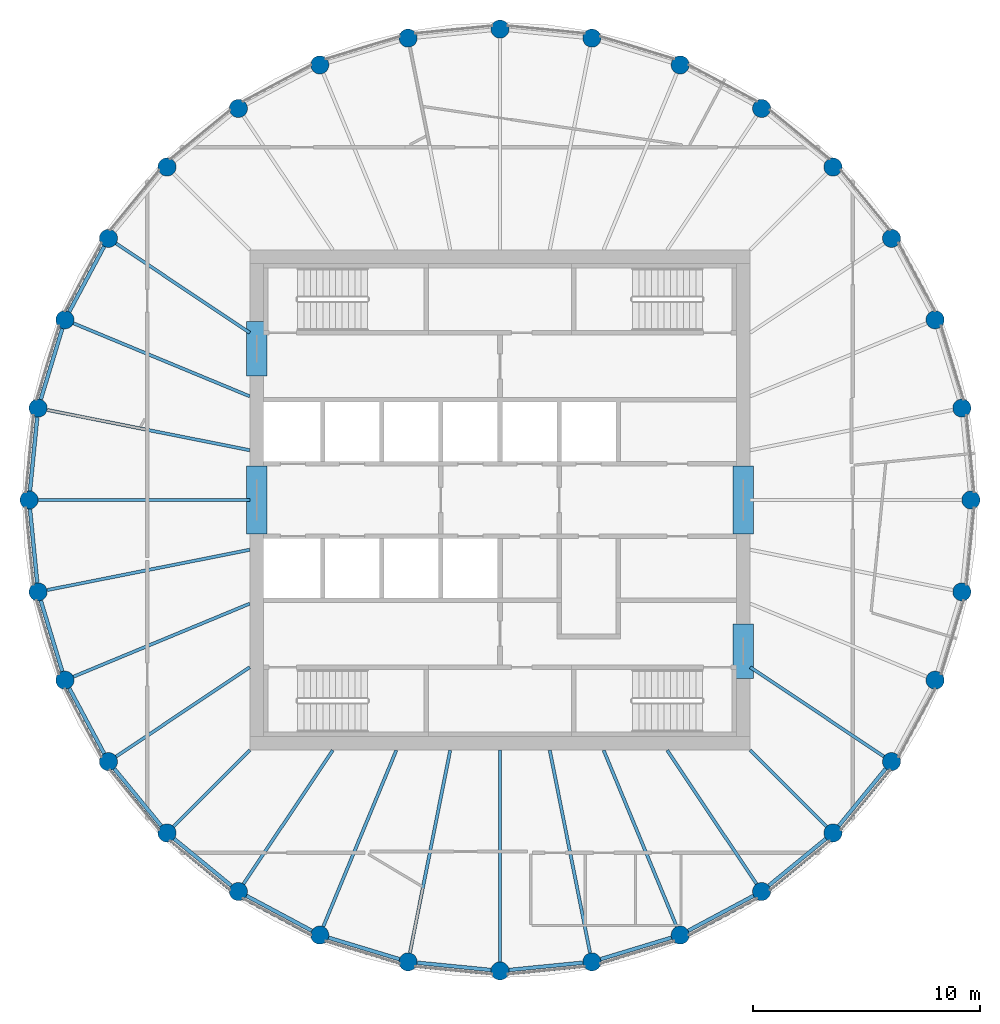
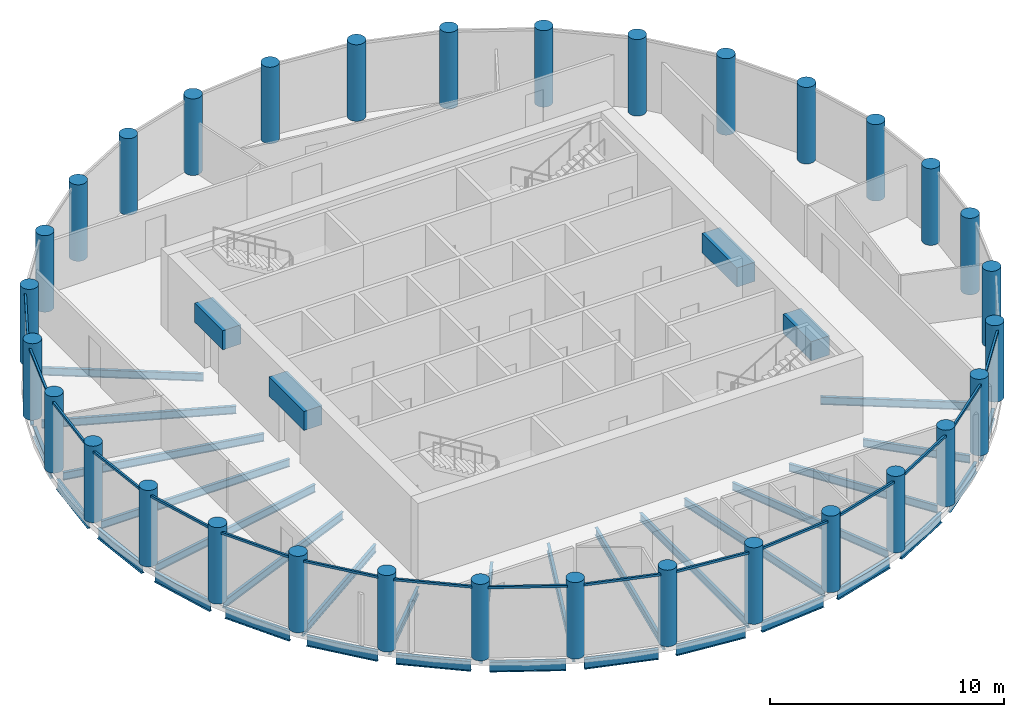
# One storey, part 1 of 7: 37 beams, 32 columns, 16 members, 16 elements without a shape of their own.
"""IFC4 building model written with IfcOpenShell, lengths in metres."""

from ifc_helpers import new_model, si_unit, direction, frame, origin, origin_2d, place, context, subcontext, project, spatial, rectangle, circle, i_section, extrude, material, material_profile, profile_set, type_object, element, aggregate, save


model = new_model("IFC4")

# Units and contexts
model_context = context("Model", 3, precision=1e-05, world=origin(), true_north=direction((0.0, 1.0)))
body_context = subcontext(model_context, "Body", "Model", "MODEL_VIEW")
ifc_project = project(units=[si_unit("LENGTHUNIT", "METRE"), si_unit("AREAUNIT", "SQUARE_METRE"), si_unit("VOLUMEUNIT", "CUBIC_METRE"), si_unit("PLANEANGLEUNIT", "RADIAN"), si_unit("MASSUNIT", "GRAM", prefix="KILO")], contexts=[model_context])

# Site, building, storey
site_placement = place(None, origin())
site = spatial("IfcSite", under=ifc_project, at=site_placement, CompositionType="ELEMENT")
building_placement = place(site_placement, origin())
building = spatial("IfcBuilding", under=site, at=building_placement, Name="Corvane Civic Tower", CompositionType="ELEMENT")
storey_placement = place(building_placement, frame((0.0, 0.0, 332.5)))
storey = spatial("IfcBuildingStorey", under=building, at=storey_placement, Name="L79", CompositionType="ELEMENT", Elevation=332.5)

# Columns
ifc_material_1 = material(Name="Concrete C60/75", Category="concrete")
ifc_material_profile_1 = material_profile(ifc_material_1, circle(Radius=0.39990234375, at=origin_2d()), Name="COLUMN 800")
ifc_profile_set_1 = profile_set([ifc_material_profile_1], Name="Concrete C60/75")
column_type = type_object("IfcColumnType", Name="RC COLUMN COLUMN 800", PredefinedType="COLUMN", material=ifc_profile_set_1)
for number, where, z_axis, x_axis, name in (
    (1, (0.0, 20.699951171875, 0.0), (0.0, 0.0, 1.0), (1.0, 0.0, 0.0), "COL-L79-F01"),
    (2, (4.038330078125, 20.30224609375, 0.0), (0.0, 0.0, 1.0), (1.0, 0.0, 0.0), "COL-L79-F02"),
    (3, (7.921630859375, 19.124267578125, 0.0), (0.0, 0.0, 1.0), (1.0, 0.0, 0.0), "COL-L79-F03"),
    (4, (11.500244140625, 17.21142578125, 0.0), (0.0, 0.0, 1.0), (1.0, 0.0, 0.0), "COL-L79-F04"),
    (5, (14.63720703125, 14.63720703125, 0.0), (0.0, 0.0, 1.0), (1.0, 0.0, 0.0), "COL-L79-F05"),
    (6, (17.21142578125, 11.500244140625, 0.0), (0.0, 0.0, 1.0), (1.0, 0.0, 0.0), "COL-L79-F06"),
    (7, (19.124267578125, 7.921630859375, 0.0), (0.0, 0.0, 1.0), (1.0, 0.0, 0.0), "COL-L79-F07"),
    (8, (20.30224609375, 4.038330078125, 0.0), (0.0, 0.0, 1.0), (1.0, 0.0, 0.0), "COL-L79-F08"),
    (9, (20.699951171875, 0.0, 0.0), (0.0, 0.0, 1.0), (1.0, 0.0, 0.0), "COL-L79-F09"),
    (10, (20.30224609375, -4.038330078125, 0.0), (0.0, 0.0, 1.0), (1.0, 0.0, 0.0), "COL-L79-F10"),
    (11, (19.124267578125, -7.921630859375, 0.0), (0.0, 0.0, 1.0), (1.0, 0.0, 0.0), "COL-L79-F11"),
    (12, (17.21142578125, -11.500244140625, 0.0), (0.0, 0.0, 1.0), (1.0, 0.0, 0.0), "COL-L79-F12"),
    (13, (14.63720703125, -14.63720703125, 0.0), (0.0, 0.0, 1.0), (1.0, 0.0, 0.0), "COL-L79-F13"),
    (14, (11.500244140625, -17.21142578125, 0.0), (0.0, 0.0, 1.0), (1.0, 0.0, 0.0), "COL-L79-F14"),
    (15, (7.921630859375, -19.124267578125, 0.0), (0.0, 0.0, 1.0), (1.0, 0.0, 0.0), "COL-L79-F15"),
    (16, (4.038330078125, -20.30224609375, 0.0), (0.0, 0.0, 1.0), (1.0, 0.0, 0.0), "COL-L79-F16"),
    (17, (0.0, -20.699951171875, 0.0), (0.0, 0.0, 1.0), (1.0, 0.0, 0.0), "COL-L79-F17"),
    (18, (-4.038330078125, -20.30224609375, 0.0), (0.0, 0.0, 1.0), (1.0, 0.0, 0.0), "COL-L79-F18"),
    (19, (-7.921630859375, -19.124267578125, 0.0), (0.0, 0.0, 1.0), (1.0, 0.0, 0.0), "COL-L79-F19"),
    (20, (-11.500244140625, -17.21142578125, 0.0), (0.0, 0.0, 1.0), (1.0, 0.0, 0.0), "COL-L79-F20"),
    (21, (-14.63720703125, -14.63720703125, 0.0), (0.0, 0.0, 1.0), (1.0, 0.0, 0.0), "COL-L79-F21"),
    (22, (-17.21142578125, -11.500244140625, 0.0), (0.0, 0.0, 1.0), (1.0, 0.0, 0.0), "COL-L79-F22"),
    (23, (-19.124267578125, -7.921630859375, 0.0), (0.0, 0.0, 1.0), (1.0, 0.0, 0.0), "COL-L79-F23"),
    (24, (-20.30224609375, -4.038330078125, 0.0), (0.0, 0.0, 1.0), (1.0, 0.0, 0.0), "COL-L79-F24"),
    (25, (-20.699951171875, 0.0, 0.0), (0.0, 0.0, 1.0), (1.0, 0.0, 0.0), "COL-L79-F25"),
    (26, (-20.30224609375, 4.038330078125, 0.0), (0.0, 0.0, 1.0), (1.0, 0.0, 0.0), "COL-L79-F26"),
    (27, (-19.124267578125, 7.921630859375, 0.0), (0.0, 0.0, 1.0), (1.0, 0.0, 0.0), "COL-L79-F27"),
    (28, (-17.21142578125, 11.500244140625, 0.0), (0.0, 0.0, 1.0), (1.0, 0.0, 0.0), "COL-L79-F28"),
    (29, (-14.63720703125, 14.63720703125, 0.0), (0.0, 0.0, 1.0), (1.0, 0.0, 0.0), "COL-L79-F29"),
    (30, (-11.500244140625, 17.21142578125, 0.0), (0.0, 0.0, 1.0), (1.0, 0.0, 0.0), "COL-L79-F30"),
    (31, (-7.921630859375, 19.124267578125, 0.0), (0.0, 0.0, 1.0), (1.0, 0.0, 0.0), "COL-L79-F31"),
    (32, (-4.038330078125, 20.30224609375, 0.0), (0.0, 0.0, 1.0), (1.0, 0.0, 0.0), "COL-L79-F32"),
):
    element("IfcColumn", number, at=place(storey_placement, frame(where, z_axis=z_axis, x_axis=x_axis)), inside=storey, type_object=column_type, Name=name, PredefinedType="COLUMN", context=body_context, shape_type="SweptSolid", body=[
        extrude(circle(Radius=0.39990234375, at=origin_2d()), origin(), (0.0, 0.0, 1.0), 4.0),
    ])

# Beams
ifc_material_2 = material(Name="Concrete C40/50", Category="concrete")
ifc_material_profile_2 = material_profile(ifc_material_2, rectangle(XDim=0.89990234375, YDim=1.0, at=origin_2d()), Name="COUPLING BEAM 900X1000")
ifc_profile_set_2 = profile_set([ifc_material_profile_2], Name="Concrete C40/50")
beam_type_1 = type_object("IfcBeamType", Name="COUPLING BEAM COUPLING BEAM 900X1000", PredefinedType="BEAM", material=ifc_profile_set_2)
for number, where, z_axis, x_axis, name in (
    (33, (-10.699951171875, -1.5, 2.60009765625), (0.0, 1.0, 0.0), (-1.0, 0.0, 0.0), "BM-L79-cpl-CW-LW"),
    (34, (10.699951171875, -1.5, 2.60009765625), (0.0, 1.0, 0.0), (-1.0, 0.0, 0.0), "BM-L79-cpl-CW-LE"),
):
    element("IfcBeam", number, at=place(storey_placement, frame(where, z_axis=z_axis, x_axis=x_axis)), inside=storey, type_object=beam_type_1, Name=name, PredefinedType="BEAM", context=body_context, shape_type="SweptSolid", body=[
        extrude(rectangle(XDim=0.89990234375, YDim=1.0, at=origin_2d()), origin(), (0.0, 0.0, 1.0), 3.0),
    ])
for number, where, z_axis, x_axis, name in (
    (35, (-10.699951171875, 5.449951171875, 2.60009765625), (0.0, 1.0, 0.0), (-1.0, 0.0, 0.0), "BM-L79-cpl-CW-WN"),
    (36, (10.699951171875, -7.85009765625, 2.60009765625), (0.0, 1.0, 0.0), (-1.0, 0.0, 0.0), "BM-L79-cpl-CW-ES"),
):
    element("IfcBeam", number, at=place(storey_placement, frame(where, z_axis=z_axis, x_axis=x_axis)), inside=storey, type_object=beam_type_1, Name=name, PredefinedType="BEAM", context=body_context, shape_type="SweptSolid", body=[
        extrude(rectangle(XDim=0.89990234375, YDim=1.0, at=origin_2d()), origin(), (0.0, 0.0, 1.0), 2.400146484375),
    ])
ifc_material_3 = material(Name="Steel ASTM A992 Gr 50", Category="steel")
ifc_material_profile_3 = material_profile(ifc_material_3, i_section(OverallWidth=0.165771484375, OverallDepth=0.5283203125, WebThickness=0.009765625, FlangeThickness=0.013671875, at=origin_2d()), Name="W21X50")
ifc_profile_set_3 = profile_set([ifc_material_profile_3], Name="Steel ASTM A992 Gr 50")
beam_type_2 = type_object("IfcBeamType", Name="EDGE BEAM W21X50", PredefinedType="BEAM", material=ifc_profile_set_3)
for number, where, z_axis, x_axis, name in (
    (37, (16.957763671875, -11.8095703125, -0.564208984375), (-0.634424551454, -0.772984791903, 0.0), (0.772984791903, -0.634424551454, 0.0), "BM-L79-E12"),
    (38, (14.327880859375, -14.890869140625, -0.564208984375), (-0.772984791903, -0.634424551454, 0.0), (0.634424551454, -0.772984791903, 0.0), "BM-L79-E13"),
    (39, (11.1474609375, -17.39990234375, -0.564208984375), (-0.881894065907, -0.471447618, 0.0), (0.471447618, -0.881894065907, 0.0), "BM-L79-E14"),
    (40, (7.538818359375, -19.240478515625, -0.564208984375), (-0.956955679349, -0.290234091317, 0.0), (0.290234091317, -0.956955679349, 0.0), "BM-L79-E15"),
):
    element("IfcBeam", number, at=place(storey_placement, frame(where, z_axis=z_axis, x_axis=x_axis)), inside=storey, type_object=beam_type_2, Name=name, PredefinedType="BEAM", context=body_context, shape_type="SweptSolid", body=[
        extrude(i_section(OverallWidth=0.165771484375, OverallDepth=0.5283203125, WebThickness=0.009765625, FlangeThickness=0.013671875, at=origin_2d()), origin(), (0.0, 0.0, 1.0), 3.2578125),
    ])
for number, where, z_axis, x_axis, name in (
    (41, (3.640380859375, -20.341552734375, -0.564208984375), (-0.995192503142, -0.097938152369, 0.0), (0.097938152369, -0.995192503142, 0.0), "BM-L79-E16"),
    (42, (-0.39794921875, -20.66064453125, -0.564208984375), (-0.995192503142, 0.097938152369, 0.0), (-0.097938152369, -0.995192503142, 0.0), "BM-L79-E17"),
):
    element("IfcBeam", number, at=place(storey_placement, frame(where, z_axis=z_axis, x_axis=x_axis)), inside=storey, type_object=beam_type_2, Name=name, PredefinedType="BEAM", context=body_context, shape_type="SweptSolid", body=[
        extrude(i_section(OverallWidth=0.165771484375, OverallDepth=0.5283203125, WebThickness=0.009765625, FlangeThickness=0.013671875, at=origin_2d()), origin(), (0.0, 0.0, 1.0), 3.258056640625),
    ])
for number, where, z_axis, x_axis, name in (
    (43, (-4.421142578125, -20.18603515625, -0.564208984375), (-0.956955679349, 0.290234091317, 0.0), (-0.290234091317, -0.956955679349, 0.0), "BM-L79-E18"),
    (44, (-8.2744140625, -18.935791015625, -0.564208984375), (-0.881894065907, 0.471447618, 0.0), (-0.471447618, -0.881894065907, 0.0), "BM-L79-E19"),
    (45, (-11.8095703125, -16.957763671875, -0.564208984375), (-0.772984791903, 0.634424551454, 0.0), (-0.634424551454, -0.772984791903, 0.0), "BM-L79-E20"),
    (46, (-14.890869140625, -14.327880859375, -0.564208984375), (-0.634424551454, 0.772984791903, 0.0), (-0.772984791903, -0.634424551454, 0.0), "BM-L79-E21"),
    (47, (-17.39990234375, -11.1474609375, -0.564208984375), (-0.471447618, 0.881894065907, 0.0), (-0.881894065907, -0.471447618, 0.0), "BM-L79-E22"),
    (48, (-19.240478515625, -7.538818359375, -0.564208984375), (-0.290234091317, 0.956955679349, 0.0), (-0.956955679349, -0.290234091317, 0.0), "BM-L79-E23"),
):
    element("IfcBeam", number, at=place(storey_placement, frame(where, z_axis=z_axis, x_axis=x_axis)), inside=storey, type_object=beam_type_2, Name=name, PredefinedType="BEAM", context=body_context, shape_type="SweptSolid", body=[
        extrude(i_section(OverallWidth=0.165771484375, OverallDepth=0.5283203125, WebThickness=0.009765625, FlangeThickness=0.013671875, at=origin_2d()), origin(), (0.0, 0.0, 1.0), 3.2578125),
    ])
for number, where, z_axis, x_axis, name in (
    (49, (-20.341552734375, -3.640380859375, -0.564208984375), (-0.097938152369, 0.995192503142, 0.0), (-0.995192503142, -0.097938152369, 0.0), "BM-L79-E24"),
    (50, (-20.66064453125, 0.39794921875, -0.564208984375), (0.097938152369, 0.995192503142, 0.0), (-0.995192503142, 0.097938152369, 0.0), "BM-L79-E25"),
):
    element("IfcBeam", number, at=place(storey_placement, frame(where, z_axis=z_axis, x_axis=x_axis)), inside=storey, type_object=beam_type_2, Name=name, PredefinedType="BEAM", context=body_context, shape_type="SweptSolid", body=[
        extrude(i_section(OverallWidth=0.165771484375, OverallDepth=0.5283203125, WebThickness=0.009765625, FlangeThickness=0.013671875, at=origin_2d()), origin(), (0.0, 0.0, 1.0), 3.258056640625),
    ])
for number, where, z_axis, x_axis, name in (
    (51, (-20.18603515625, 4.421142578125, -0.564208984375), (0.290234091317, 0.956955679349, 0.0), (-0.956955679349, 0.290234091317, 0.0), "BM-L79-E26"),
    (52, (-18.935791015625, 8.2744140625, -0.564208984375), (0.471447618, 0.881894065907, 0.0), (-0.881894065907, 0.471447618, 0.0), "BM-L79-E27"),
):
    element("IfcBeam", number, at=place(storey_placement, frame(where, z_axis=z_axis, x_axis=x_axis)), inside=storey, type_object=beam_type_2, Name=name, PredefinedType="BEAM", context=body_context, shape_type="SweptSolid", body=[
        extrude(i_section(OverallWidth=0.165771484375, OverallDepth=0.5283203125, WebThickness=0.009765625, FlangeThickness=0.013671875, at=origin_2d()), origin(), (0.0, 0.0, 1.0), 3.2578125),
    ])
ifc_material_4 = material(Name="Steel ASTM A992 Gr 50", Category="steel")
ifc_material_profile_4 = material_profile(ifc_material_4, i_section(OverallWidth=0.140380859375, OverallDepth=0.40380859375, WebThickness=0.007080078125, FlangeThickness=0.01123046875, at=origin_2d()), Name="W16X31")
ifc_profile_set_4 = profile_set([ifc_material_profile_4], Name="Steel ASTM A992 Gr 50")
beam_type_3 = type_object("IfcBeamType", Name="FLOOR GIRDER W16X31", PredefinedType="BEAM", material=ifc_profile_set_4)
beam_1_placement = place(storey_placement, frame((11.0, -7.349853515625, -0.501953125), z_axis=(0.831465490699, -0.555576401385, 0.0), x_axis=(0.555576401385, 0.831465490699, 0.0)))
element("IfcBeam", 53, at=beam_1_placement, inside=storey, type_object=beam_type_3, Name="BM-L79-G12", PredefinedType="BEAM", context=body_context, shape_type="SweptSolid", body=[
    extrude(i_section(OverallWidth=0.140380859375, OverallDepth=0.40380859375, WebThickness=0.007080078125, FlangeThickness=0.01123046875, at=origin_2d()), origin(), (0.0, 0.0, 1.0), 7.070556640625),
])
beam_2_placement = place(storey_placement, frame((11.0, -11.0, -0.501953125), z_axis=(0.707106781187, -0.707106781187, 0.0), x_axis=(0.707106781187, 0.707106781187, 0.0)))
element("IfcBeam", 54, at=beam_2_placement, inside=storey, type_object=beam_type_3, Name="BM-L79-G13", PredefinedType="BEAM", context=body_context, shape_type="SweptSolid", body=[
    extrude(i_section(OverallWidth=0.140380859375, OverallDepth=0.40380859375, WebThickness=0.007080078125, FlangeThickness=0.01123046875, at=origin_2d()), origin(), (0.0, 0.0, 1.0), 4.74365234375),
])
beam_3_placement = place(storey_placement, frame((7.349853515625, -11.0, -0.501953125), z_axis=(0.555576401385, -0.831465490699, 0.0), x_axis=(0.831465490699, 0.555576401385, 0.0)))
element("IfcBeam", 55, at=beam_3_placement, inside=storey, type_object=beam_type_3, Name="BM-L79-G14", PredefinedType="BEAM", context=body_context, shape_type="SweptSolid", body=[
    extrude(i_section(OverallWidth=0.140380859375, OverallDepth=0.40380859375, WebThickness=0.007080078125, FlangeThickness=0.01123046875, at=origin_2d()), origin(), (0.0, 0.0, 1.0), 7.070556640625),
])
beam_4_placement = place(storey_placement, frame((4.556396484375, -11.0, -0.501953125), z_axis=(0.382691739894, -0.923876091377, 0.0), x_axis=(0.923876091377, 0.382691739894, 0.0)))
element("IfcBeam", 56, at=beam_4_placement, inside=storey, type_object=beam_type_3, Name="BM-L79-G15", PredefinedType="BEAM", context=body_context, shape_type="SweptSolid", body=[
    extrude(i_section(OverallWidth=0.140380859375, OverallDepth=0.40380859375, WebThickness=0.007080078125, FlangeThickness=0.01123046875, at=origin_2d()), origin(), (0.0, 0.0, 1.0), 8.3935546875),
])
beam_5_placement = place(storey_placement, frame((2.18798828125, -11.0, -0.501953125), z_axis=(0.195108241061, -0.980781715913, 0.0), x_axis=(0.980781715913, 0.195108241061, 0.0)))
element("IfcBeam", 57, at=beam_5_placement, inside=storey, type_object=beam_type_3, Name="BM-L79-G16", PredefinedType="BEAM", context=body_context, shape_type="SweptSolid", body=[
    extrude(i_section(OverallWidth=0.140380859375, OverallDepth=0.40380859375, WebThickness=0.007080078125, FlangeThickness=0.01123046875, at=origin_2d()), origin(), (0.0, 0.0, 1.0), 9.08447265625),
])
beam_6_placement = place(storey_placement, frame((0.0, -11.0, -0.501953125), z_axis=(0.0, -1.0, 0.0), x_axis=(1.0, 0.0, 0.0)))
element("IfcBeam", 58, at=beam_6_placement, inside=storey, type_object=beam_type_3, Name="BM-L79-G17", PredefinedType="BEAM", context=body_context, shape_type="SweptSolid", body=[
    extrude(i_section(OverallWidth=0.140380859375, OverallDepth=0.40380859375, WebThickness=0.007080078125, FlangeThickness=0.01123046875, at=origin_2d()), origin(), (0.0, 0.0, 1.0), 9.300048828125),
])
beam_7_placement = place(storey_placement, frame((-2.18798828125, -11.0, -0.501953125), z_axis=(-0.195108241061, -0.980781715913, 0.0), x_axis=(0.980781715913, -0.195108241061, 0.0)))
element("IfcBeam", 59, at=beam_7_placement, inside=storey, type_object=beam_type_3, Name="BM-L79-G18", PredefinedType="BEAM", context=body_context, shape_type="SweptSolid", body=[
    extrude(i_section(OverallWidth=0.140380859375, OverallDepth=0.40380859375, WebThickness=0.007080078125, FlangeThickness=0.01123046875, at=origin_2d()), origin(), (0.0, 0.0, 1.0), 9.08447265625),
])
beam_8_placement = place(storey_placement, frame((-4.556396484375, -11.0, -0.501953125), z_axis=(-0.382691739894, -0.923876091377, 0.0), x_axis=(0.923876091377, -0.382691739894, 0.0)))
element("IfcBeam", 60, at=beam_8_placement, inside=storey, type_object=beam_type_3, Name="BM-L79-G19", PredefinedType="BEAM", context=body_context, shape_type="SweptSolid", body=[
    extrude(i_section(OverallWidth=0.140380859375, OverallDepth=0.40380859375, WebThickness=0.007080078125, FlangeThickness=0.01123046875, at=origin_2d()), origin(), (0.0, 0.0, 1.0), 8.3935546875),
])
beam_9_placement = place(storey_placement, frame((-7.349853515625, -11.0, -0.501953125), z_axis=(-0.555576401385, -0.831465490699, 0.0), x_axis=(0.831465490699, -0.555576401385, 0.0)))
element("IfcBeam", 61, at=beam_9_placement, inside=storey, type_object=beam_type_3, Name="BM-L79-G20", PredefinedType="BEAM", context=body_context, shape_type="SweptSolid", body=[
    extrude(i_section(OverallWidth=0.140380859375, OverallDepth=0.40380859375, WebThickness=0.007080078125, FlangeThickness=0.01123046875, at=origin_2d()), origin(), (0.0, 0.0, 1.0), 7.070556640625),
])
beam_10_placement = place(storey_placement, frame((-11.0, -11.0, -0.501953125), z_axis=(-0.707106781187, -0.707106781187, 0.0), x_axis=(0.707106781187, -0.707106781187, 0.0)))
element("IfcBeam", 62, at=beam_10_placement, inside=storey, type_object=beam_type_3, Name="BM-L79-G21", PredefinedType="BEAM", context=body_context, shape_type="SweptSolid", body=[
    extrude(i_section(OverallWidth=0.140380859375, OverallDepth=0.40380859375, WebThickness=0.007080078125, FlangeThickness=0.01123046875, at=origin_2d()), origin(), (0.0, 0.0, 1.0), 4.74365234375),
])
beam_11_placement = place(storey_placement, frame((-11.0, -7.349853515625, -0.501953125), z_axis=(-0.831465490699, -0.555576401385, 0.0), x_axis=(0.555576401385, -0.831465490699, 0.0)))
element("IfcBeam", 63, at=beam_11_placement, inside=storey, type_object=beam_type_3, Name="BM-L79-G22", PredefinedType="BEAM", context=body_context, shape_type="SweptSolid", body=[
    extrude(i_section(OverallWidth=0.140380859375, OverallDepth=0.40380859375, WebThickness=0.007080078125, FlangeThickness=0.01123046875, at=origin_2d()), origin(), (0.0, 0.0, 1.0), 7.070556640625),
])
beam_12_placement = place(storey_placement, frame((-11.0, -4.556396484375, -0.501953125), z_axis=(-0.923876091377, -0.382691739894, 0.0), x_axis=(0.382691739894, -0.923876091377, 0.0)))
element("IfcBeam", 64, at=beam_12_placement, inside=storey, type_object=beam_type_3, Name="BM-L79-G23", PredefinedType="BEAM", context=body_context, shape_type="SweptSolid", body=[
    extrude(i_section(OverallWidth=0.140380859375, OverallDepth=0.40380859375, WebThickness=0.007080078125, FlangeThickness=0.01123046875, at=origin_2d()), origin(), (0.0, 0.0, 1.0), 8.3935546875),
])
beam_13_placement = place(storey_placement, frame((-11.0, -2.18798828125, -0.501953125), z_axis=(-0.980781715913, -0.195108241061, 0.0), x_axis=(0.195108241061, -0.980781715913, 0.0)))
element("IfcBeam", 65, at=beam_13_placement, inside=storey, type_object=beam_type_3, Name="BM-L79-G24", PredefinedType="BEAM", context=body_context, shape_type="SweptSolid", body=[
    extrude(i_section(OverallWidth=0.140380859375, OverallDepth=0.40380859375, WebThickness=0.007080078125, FlangeThickness=0.01123046875, at=origin_2d()), origin(), (0.0, 0.0, 1.0), 9.08447265625),
])
beam_14_placement = place(storey_placement, frame((-11.0, 0.0, -0.501953125), z_axis=(-1.0, 0.0, 0.0), x_axis=(0.0, -1.0, 0.0)))
element("IfcBeam", 66, at=beam_14_placement, inside=storey, type_object=beam_type_3, Name="BM-L79-G25", PredefinedType="BEAM", context=body_context, shape_type="SweptSolid", body=[
    extrude(i_section(OverallWidth=0.140380859375, OverallDepth=0.40380859375, WebThickness=0.007080078125, FlangeThickness=0.01123046875, at=origin_2d()), origin(), (0.0, 0.0, 1.0), 9.300048828125),
])
beam_15_placement = place(storey_placement, frame((-11.0, 2.18798828125, -0.501953125), z_axis=(-0.980781715913, 0.195108241061, 0.0), x_axis=(-0.195108241061, -0.980781715913, 0.0)))
element("IfcBeam", 67, at=beam_15_placement, inside=storey, type_object=beam_type_3, Name="BM-L79-G26", PredefinedType="BEAM", context=body_context, shape_type="SweptSolid", body=[
    extrude(i_section(OverallWidth=0.140380859375, OverallDepth=0.40380859375, WebThickness=0.007080078125, FlangeThickness=0.01123046875, at=origin_2d()), origin(), (0.0, 0.0, 1.0), 9.08447265625),
])
beam_16_placement = place(storey_placement, frame((-11.0, 4.556396484375, -0.501953125), z_axis=(-0.923876091377, 0.382691739894, 0.0), x_axis=(-0.382691739894, -0.923876091377, 0.0)))
element("IfcBeam", 68, at=beam_16_placement, inside=storey, type_object=beam_type_3, Name="BM-L79-G27", PredefinedType="BEAM", context=body_context, shape_type="SweptSolid", body=[
    extrude(i_section(OverallWidth=0.140380859375, OverallDepth=0.40380859375, WebThickness=0.007080078125, FlangeThickness=0.01123046875, at=origin_2d()), origin(), (0.0, 0.0, 1.0), 8.3935546875),
])
beam_17_placement = place(storey_placement, frame((-11.0, 7.349853515625, -0.501953125), z_axis=(-0.831465490699, 0.555576401385, 0.0), x_axis=(-0.555576401385, -0.831465490699, 0.0)))
element("IfcBeam", 69, at=beam_17_placement, inside=storey, type_object=beam_type_3, Name="BM-L79-G28", PredefinedType="BEAM", context=body_context, shape_type="SweptSolid", body=[
    extrude(i_section(OverallWidth=0.140380859375, OverallDepth=0.40380859375, WebThickness=0.007080078125, FlangeThickness=0.01123046875, at=origin_2d()), origin(), (0.0, 0.0, 1.0), 7.070556640625),
])

# Curtain wall, member
ifc_material_5 = material(Name="Anodised aluminium bronze", Category="aluminium")
curtain_wall_type = type_object("IfcCurtainWallType", Name="TOWER CW-T3 STICK CURTAIN WALL", PredefinedType="NOTDEFINED", material=ifc_material_5)
curtain_wall_1_placement = place(storey_placement, origin())
curtain_wall_1 = element("IfcCurtainWall", 70, at=curtain_wall_1_placement, inside=storey, type_object=curtain_wall_type, Name="Curtain wall CW-T3 L79 bay 12", PredefinedType="NOTDEFINED")
ifc_material_6 = material(Name="Anodised aluminium bronze", Category="aluminium")
ifc_material_profile_5 = material_profile(ifc_material_6, rectangle(XDim=0.10009765625, YDim=0.1201171875, at=origin_2d()), Name="TOWER CW-T3 TRANSOM 100x120")
ifc_profile_set_5 = profile_set([ifc_material_profile_5], Name="Anodised aluminium bronze")
member_type = type_object("IfcMemberType", Name="TOWER CW-T3 TRANSOM 100x120", PredefinedType="USERDEFINED", material=ifc_profile_set_5)
member_1_placement = place(storey_placement, frame((17.14208984375, -11.8671875, 3.68994140625), z_axis=(-0.634393571736, -0.773010217358, 0.0), x_axis=(0.773010217358, -0.634393571736, 0.0)))
member_1 = element("IfcMember", 71, at=member_1_placement, type_object=member_type, Name="Transom CW-T3 L79 12.1", ObjectType="TRANSOM", PredefinedType="USERDEFINED", context=body_context, shape_type="SweptSolid", body=[
    extrude(rectangle(XDim=0.10009765625, YDim=0.1201171875, at=origin_2d()), origin(), (0.0, 0.0, 1.0), 3.40283203125),
])
aggregate(curtain_wall_1, [member_1])

curtain_wall_2_placement = place(storey_placement, origin())
curtain_wall_2 = element("IfcCurtainWall", 72, at=curtain_wall_2_placement, inside=storey, type_object=curtain_wall_type, Name="Curtain wall CW-T3 L79 bay 13", PredefinedType="NOTDEFINED")
member_2_placement = place(storey_placement, frame((14.49755859375, -14.9833984375, 3.68994140625), z_axis=(-0.773010217358, -0.634393571736, 0.0), x_axis=(0.634393571736, -0.773010217358, 0.0)))
member_2 = element("IfcMember", 73, at=member_2_placement, type_object=member_type, Name="Transom CW-T3 L79 13.1", ObjectType="TRANSOM", PredefinedType="USERDEFINED", context=body_context, shape_type="SweptSolid", body=[
    extrude(rectangle(XDim=0.10009765625, YDim=0.1201171875, at=origin_2d()), origin(), (0.0, 0.0, 1.0), 3.40283203125),
])
aggregate(curtain_wall_2, [member_2])

curtain_wall_3_placement = place(storey_placement, origin())
curtain_wall_3 = element("IfcCurtainWall", 74, at=curtain_wall_3_placement, inside=storey, type_object=curtain_wall_type, Name="Curtain wall CW-T3 L79 bay 14", PredefinedType="NOTDEFINED")
member_3_placement = place(storey_placement, frame((11.295654296875, -17.52392578125, 3.68994140625), z_axis=(-0.881941440444, -0.471358988063, 0.0), x_axis=(0.471358988063, -0.881941440444, 0.0)))
member_3 = element("IfcMember", 75, at=member_3_placement, type_object=member_type, Name="Transom CW-T3 L79 14.1", ObjectType="TRANSOM", PredefinedType="USERDEFINED", context=body_context, shape_type="SweptSolid", body=[
    extrude(rectangle(XDim=0.10009765625, YDim=0.1201171875, at=origin_2d()), origin(), (0.0, 0.0, 1.0), 3.40234375),
])
aggregate(curtain_wall_3, [member_3])

curtain_wall_4_placement = place(storey_placement, origin())
curtain_wall_4 = element("IfcCurtainWall", 76, at=curtain_wall_4_placement, inside=storey, type_object=curtain_wall_type, Name="Curtain wall CW-T3 L79 bay 15", PredefinedType="NOTDEFINED")
member_4_placement = place(storey_placement, frame((7.66015625, -19.390869140625, 3.68994140625), z_axis=(-0.956961022204, -0.290216474345, 0.0), x_axis=(0.290216474345, -0.956961022204, 0.0)))
member_4 = element("IfcMember", 77, at=member_4_placement, type_object=member_type, Name="Transom CW-T3 L79 15.1", ObjectType="TRANSOM", PredefinedType="USERDEFINED", context=body_context, shape_type="SweptSolid", body=[
    extrude(rectangle(XDim=0.10009765625, YDim=0.1201171875, at=origin_2d()), origin(), (0.0, 0.0, 1.0), 3.40283203125),
])
aggregate(curtain_wall_4, [member_4])

curtain_wall_5_placement = place(storey_placement, origin())
curtain_wall_5 = element("IfcCurtainWall", 78, at=curtain_wall_5_placement, inside=storey, type_object=curtain_wall_type, Name="Curtain wall CW-T3 L79 bay 16", PredefinedType="NOTDEFINED")
member_5_placement = place(storey_placement, frame((3.729736328125, -20.5126953125, 3.68994140625), z_axis=(-0.995191564676, -0.097947688066, 0.0), x_axis=(0.097947688066, -0.995191564676, 0.0)))
member_5 = element("IfcMember", 79, at=member_5_placement, type_object=member_type, Name="Transom CW-T3 L79 16.1", ObjectType="TRANSOM", PredefinedType="USERDEFINED", context=body_context, shape_type="SweptSolid", body=[
    extrude(rectangle(XDim=0.10009765625, YDim=0.1201171875, at=origin_2d()), origin(), (0.0, 0.0, 1.0), 3.40234375),
])
aggregate(curtain_wall_5, [member_5])

curtain_wall_6_placement = place(storey_placement, origin())
curtain_wall_6 = element("IfcCurtainWall", 80, at=curtain_wall_6_placement, inside=storey, type_object=curtain_wall_type, Name="Curtain wall CW-T3 L79 bay 17", PredefinedType="NOTDEFINED")
member_6_placement = place(storey_placement, frame((-0.34375, -20.845947265625, 3.68994140625), z_axis=(-0.995191564676, 0.097947688066, 0.0), x_axis=(-0.097947688066, -0.995191564676, 0.0)))
member_6 = element("IfcMember", 81, at=member_6_placement, type_object=member_type, Name="Transom CW-T3 L79 17.1", ObjectType="TRANSOM", PredefinedType="USERDEFINED", context=body_context, shape_type="SweptSolid", body=[
    extrude(rectangle(XDim=0.10009765625, YDim=0.1201171875, at=origin_2d()), origin(), (0.0, 0.0, 1.0), 3.40234375),
])
aggregate(curtain_wall_6, [member_6])

curtain_wall_7_placement = place(storey_placement, origin())
curtain_wall_7 = element("IfcCurtainWall", 82, at=curtain_wall_7_placement, inside=storey, type_object=curtain_wall_type, Name="Curtain wall CW-T3 L79 bay 18", PredefinedType="NOTDEFINED")
member_7_placement = place(storey_placement, frame((-4.40380859375, -20.37841796875, 3.68994140625), z_axis=(-0.956961022204, 0.290216474345, 0.0), x_axis=(-0.290216474345, -0.956961022204, 0.0)))
member_7 = element("IfcMember", 83, at=member_7_placement, type_object=member_type, Name="Transom CW-T3 L79 18.1", ObjectType="TRANSOM", PredefinedType="USERDEFINED", context=body_context, shape_type="SweptSolid", body=[
    extrude(rectangle(XDim=0.10009765625, YDim=0.1201171875, at=origin_2d()), origin(), (0.0, 0.0, 1.0), 3.40283203125),
])
aggregate(curtain_wall_7, [member_7])

curtain_wall_8_placement = place(storey_placement, origin())
curtain_wall_8 = element("IfcCurtainWall", 84, at=curtain_wall_8_placement, inside=storey, type_object=curtain_wall_type, Name="Curtain wall CW-T3 L79 bay 19", PredefinedType="NOTDEFINED")
member_8_placement = place(storey_placement, frame((-8.294921875, -19.127685546875, 3.68994140625), z_axis=(-0.881941440444, 0.471358988063, 0.0), x_axis=(-0.471358988063, -0.881941440444, 0.0)))
member_8 = element("IfcMember", 85, at=member_8_placement, type_object=member_type, Name="Transom CW-T3 L79 19.1", ObjectType="TRANSOM", PredefinedType="USERDEFINED", context=body_context, shape_type="SweptSolid", body=[
    extrude(rectangle(XDim=0.10009765625, YDim=0.1201171875, at=origin_2d()), origin(), (0.0, 0.0, 1.0), 3.40234375),
])
aggregate(curtain_wall_8, [member_8])

curtain_wall_9_placement = place(storey_placement, origin())
curtain_wall_9 = element("IfcCurtainWall", 86, at=curtain_wall_9_placement, inside=storey, type_object=curtain_wall_type, Name="Curtain wall CW-T3 L79 bay 20", PredefinedType="NOTDEFINED")
member_9_placement = place(storey_placement, frame((-11.8671875, -17.14208984375, 3.68994140625), z_axis=(-0.773010217358, 0.634393571736, 0.0), x_axis=(-0.634393571736, -0.773010217358, 0.0)))
member_9 = element("IfcMember", 87, at=member_9_placement, type_object=member_type, Name="Transom CW-T3 L79 20.1", ObjectType="TRANSOM", PredefinedType="USERDEFINED", context=body_context, shape_type="SweptSolid", body=[
    extrude(rectangle(XDim=0.10009765625, YDim=0.1201171875, at=origin_2d()), origin(), (0.0, 0.0, 1.0), 3.40283203125),
])
aggregate(curtain_wall_9, [member_9])

curtain_wall_10_placement = place(storey_placement, origin())
curtain_wall_10 = element("IfcCurtainWall", 88, at=curtain_wall_10_placement, inside=storey, type_object=curtain_wall_type, Name="Curtain wall CW-T3 L79 bay 21", PredefinedType="NOTDEFINED")
member_10_placement = place(storey_placement, frame((-14.9833984375, -14.49755859375, 3.68994140625), z_axis=(-0.634393571736, 0.773010217358, 0.0), x_axis=(-0.773010217358, -0.634393571736, 0.0)))
member_10 = element("IfcMember", 89, at=member_10_placement, type_object=member_type, Name="Transom CW-T3 L79 21.1", ObjectType="TRANSOM", PredefinedType="USERDEFINED", context=body_context, shape_type="SweptSolid", body=[
    extrude(rectangle(XDim=0.10009765625, YDim=0.1201171875, at=origin_2d()), origin(), (0.0, 0.0, 1.0), 3.40283203125),
])
aggregate(curtain_wall_10, [member_10])

curtain_wall_11_placement = place(storey_placement, origin())
curtain_wall_11 = element("IfcCurtainWall", 90, at=curtain_wall_11_placement, inside=storey, type_object=curtain_wall_type, Name="Curtain wall CW-T3 L79 bay 22", PredefinedType="NOTDEFINED")
member_11_placement = place(storey_placement, frame((-17.52392578125, -11.295654296875, 3.68994140625), z_axis=(-0.471358988063, 0.881941440444, 0.0), x_axis=(-0.881941440444, -0.471358988063, 0.0)))
member_11 = element("IfcMember", 91, at=member_11_placement, type_object=member_type, Name="Transom CW-T3 L79 22.1", ObjectType="TRANSOM", PredefinedType="USERDEFINED", context=body_context, shape_type="SweptSolid", body=[
    extrude(rectangle(XDim=0.10009765625, YDim=0.1201171875, at=origin_2d()), origin(), (0.0, 0.0, 1.0), 3.40234375),
])
aggregate(curtain_wall_11, [member_11])

curtain_wall_12_placement = place(storey_placement, origin())
curtain_wall_12 = element("IfcCurtainWall", 92, at=curtain_wall_12_placement, inside=storey, type_object=curtain_wall_type, Name="Curtain wall CW-T3 L79 bay 23", PredefinedType="NOTDEFINED")
member_12_placement = place(storey_placement, frame((-19.390869140625, -7.66015625, 3.68994140625), z_axis=(-0.290216474345, 0.956961022204, 0.0), x_axis=(-0.956961022204, -0.290216474345, 0.0)))
member_12 = element("IfcMember", 93, at=member_12_placement, type_object=member_type, Name="Transom CW-T3 L79 23.1", ObjectType="TRANSOM", PredefinedType="USERDEFINED", context=body_context, shape_type="SweptSolid", body=[
    extrude(rectangle(XDim=0.10009765625, YDim=0.1201171875, at=origin_2d()), origin(), (0.0, 0.0, 1.0), 3.40283203125),
])
aggregate(curtain_wall_12, [member_12])

curtain_wall_13_placement = place(storey_placement, origin())
curtain_wall_13 = element("IfcCurtainWall", 94, at=curtain_wall_13_placement, inside=storey, type_object=curtain_wall_type, Name="Curtain wall CW-T3 L79 bay 24", PredefinedType="NOTDEFINED")
member_13_placement = place(storey_placement, frame((-20.5126953125, -3.729736328125, 3.68994140625), z_axis=(-0.097947688066, 0.995191564676, 0.0), x_axis=(-0.995191564676, -0.097947688066, 0.0)))
member_13 = element("IfcMember", 95, at=member_13_placement, type_object=member_type, Name="Transom CW-T3 L79 24.1", ObjectType="TRANSOM", PredefinedType="USERDEFINED", context=body_context, shape_type="SweptSolid", body=[
    extrude(rectangle(XDim=0.10009765625, YDim=0.1201171875, at=origin_2d()), origin(), (0.0, 0.0, 1.0), 3.40234375),
])
aggregate(curtain_wall_13, [member_13])

curtain_wall_14_placement = place(storey_placement, origin())
curtain_wall_14 = element("IfcCurtainWall", 96, at=curtain_wall_14_placement, inside=storey, type_object=curtain_wall_type, Name="Curtain wall CW-T3 L79 bay 25", PredefinedType="NOTDEFINED")
member_14_placement = place(storey_placement, frame((-20.845947265625, 0.34375, 3.68994140625), z_axis=(0.097947688066, 0.995191564676, 0.0), x_axis=(-0.995191564676, 0.097947688066, 0.0)))
member_14 = element("IfcMember", 97, at=member_14_placement, type_object=member_type, Name="Transom CW-T3 L79 25.1", ObjectType="TRANSOM", PredefinedType="USERDEFINED", context=body_context, shape_type="SweptSolid", body=[
    extrude(rectangle(XDim=0.10009765625, YDim=0.1201171875, at=origin_2d()), origin(), (0.0, 0.0, 1.0), 3.40234375),
])
aggregate(curtain_wall_14, [member_14])

curtain_wall_15_placement = place(storey_placement, origin())
curtain_wall_15 = element("IfcCurtainWall", 98, at=curtain_wall_15_placement, inside=storey, type_object=curtain_wall_type, Name="Curtain wall CW-T3 L79 bay 26", PredefinedType="NOTDEFINED")
member_15_placement = place(storey_placement, frame((-20.37841796875, 4.40380859375, 3.68994140625), z_axis=(0.290216474345, 0.956961022204, 0.0), x_axis=(-0.956961022204, 0.290216474345, 0.0)))
member_15 = element("IfcMember", 99, at=member_15_placement, type_object=member_type, Name="Transom CW-T3 L79 26.1", ObjectType="TRANSOM", PredefinedType="USERDEFINED", context=body_context, shape_type="SweptSolid", body=[
    extrude(rectangle(XDim=0.10009765625, YDim=0.1201171875, at=origin_2d()), origin(), (0.0, 0.0, 1.0), 3.40283203125),
])
aggregate(curtain_wall_15, [member_15])

curtain_wall_16_placement = place(storey_placement, origin())
curtain_wall_16 = element("IfcCurtainWall", 100, at=curtain_wall_16_placement, inside=storey, type_object=curtain_wall_type, Name="Curtain wall CW-T3 L79 bay 27", PredefinedType="NOTDEFINED")
member_16_placement = place(storey_placement, frame((-19.127685546875, 8.294921875, 3.68994140625), z_axis=(0.471358988063, 0.881941440444, 0.0), x_axis=(-0.881941440444, 0.471358988063, 0.0)))
member_16 = element("IfcMember", 101, at=member_16_placement, type_object=member_type, Name="Transom CW-T3 L79 27.1", ObjectType="TRANSOM", PredefinedType="USERDEFINED", context=body_context, shape_type="SweptSolid", body=[
    extrude(rectangle(XDim=0.10009765625, YDim=0.1201171875, at=origin_2d()), origin(), (0.0, 0.0, 1.0), 3.40234375),
])
aggregate(curtain_wall_16, [member_16])

save(model, "model.ifc")
